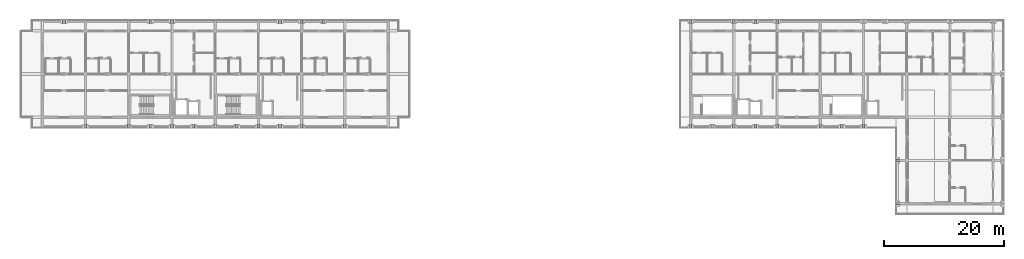
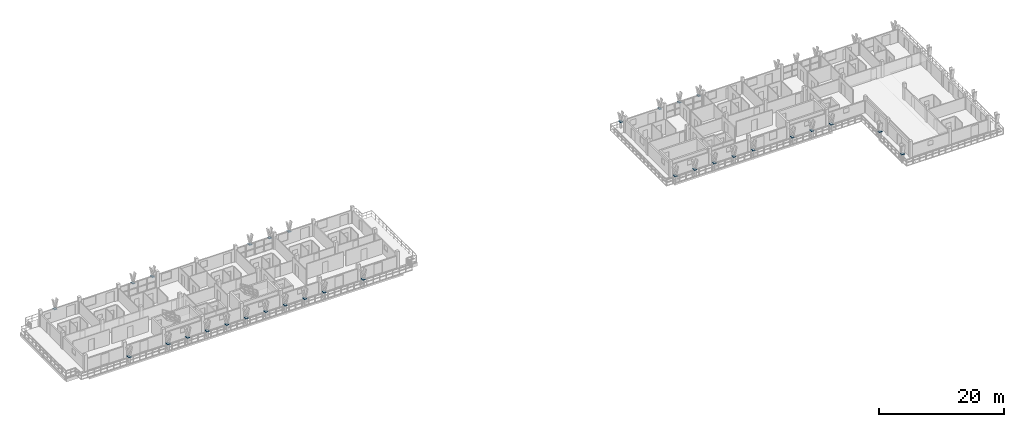
# One storey, part 17 of 32: 31 plates.
"""IFC4 building model written with IfcOpenShell, lengths in metres."""

from ifc_helpers import new_model, si_unit, direction, frame, origin, origin_2d, place, context, subcontext, project, spatial, rectangle, extrude, material, layer, layer_set, type_object, element, save


model = new_model("IFC4")

# Units and contexts
model_context = context("Model", 3, precision=1e-05, world=origin(), true_north=direction((0.0, 1.0)))
body_context = subcontext(model_context, "Body", "Model", "MODEL_VIEW")
ifc_project = project(units=[si_unit("LENGTHUNIT", "METRE"), si_unit("AREAUNIT", "SQUARE_METRE"), si_unit("VOLUMEUNIT", "CUBIC_METRE"), si_unit("PLANEANGLEUNIT", "RADIAN"), si_unit("MASSUNIT", "GRAM", prefix="KILO")], contexts=[model_context])

# Site, building, storey
site_placement = place(None, origin())
site = spatial("IfcSite", under=ifc_project, at=site_placement, CompositionType="ELEMENT")
building_placement = place(site_placement, origin())
building = spatial("IfcBuilding", under=site, at=building_placement, Name="Suanplinth Sawtooth Commons", CompositionType="ELEMENT")
storey_placement = place(building_placement, frame((0.0, 0.0, 41.199951171875)))
storey = spatial("IfcBuildingStorey", under=building, at=storey_placement, Name="L12", CompositionType="ELEMENT", Elevation=41.199951171875)

# Plates
ifc_material = material(Name="Pigmented precast concrete C40/50", Category="concrete")
ifc_layer = layer(ifc_material, 0.06005859375, Name="Precast Y-blade bifurcation node plate 60mm")
ifc_layer_set = layer_set([ifc_layer], Name="Pigmented precast concrete C40/50")
plate_type = type_object("IfcPlateType", Name="PL-04", PredefinedType="USERDEFINED", material=ifc_layer_set)
for number, where, z_axis, x_axis, name in (
    (1, (32.39990234375, 123.919921875, 1.1201171875), (0.0, 0.0, 1.0), (1.0, 0.0, 0.0), "Y-Blade Node Plate L12-A-N-01"),
    (2, (46.800048828125, 123.919921875, 1.1201171875), (0.0, 0.0, 1.0), (1.0, 0.0, 0.0), "Y-Blade Node Plate L12-A-N-02"),
    (3, (50.39990234375, 123.919921875, 1.1201171875), (0.0, 0.0, 1.0), (1.0, 0.0, 0.0), "Y-Blade Node Plate L12-A-N-03"),
    (4, (68.39990234375, 123.919921875, 1.1201171875), (0.0, 0.0, 1.0), (1.0, 0.0, 0.0), "Y-Blade Node Plate L12-A-N-04"),
    (5, (72.0, 123.919921875, 1.1201171875), (0.0, 0.0, 1.0), (1.0, 0.0, 0.0), "Y-Blade Node Plate L12-A-N-05"),
    (6, (75.60009765625, 123.919921875, 1.1201171875), (0.0, 0.0, 1.0), (1.0, 0.0, 0.0), "Y-Blade Node Plate L12-A-N-06"),
    (7, (36.0, 106.47998046875, 1.1201171875), (0.0, 0.0, 1.0), (1.0, 0.0, 0.0), "Y-Blade Node Plate L12-A-S-07"),
    (8, (43.199951171875, 106.47998046875, 1.1201171875), (0.0, 0.0, 1.0), (1.0, 0.0, 0.0), "Y-Blade Node Plate L12-A-S-08"),
    (9, (46.800048828125, 106.47998046875, 1.1201171875), (0.0, 0.0, 1.0), (1.0, 0.0, 0.0), "Y-Blade Node Plate L12-A-S-09"),
    (10, (50.39990234375, 106.47998046875, 1.1201171875), (0.0, 0.0, 1.0), (1.0, 0.0, 0.0), "Y-Blade Node Plate L12-A-S-10"),
    (11, (54.0, 106.47998046875, 1.1201171875), (0.0, 0.0, 1.0), (1.0, 0.0, 0.0), "Y-Blade Node Plate L12-A-S-11"),
    (12, (57.60009765625, 106.47998046875, 1.1201171875), (0.0, 0.0, 1.0), (1.0, 0.0, 0.0), "Y-Blade Node Plate L12-A-S-12"),
    (13, (61.199951171875, 106.47998046875, 1.1201171875), (0.0, 0.0, 1.0), (1.0, 0.0, 0.0), "Y-Blade Node Plate L12-A-S-13"),
    (14, (64.800048828125, 106.47998046875, 1.1201171875), (0.0, 0.0, 1.0), (1.0, 0.0, 0.0), "Y-Blade Node Plate L12-A-S-14"),
    (15, (68.39990234375, 106.47998046875, 1.1201171875), (0.0, 0.0, 1.0), (1.0, 0.0, 0.0), "Y-Blade Node Plate L12-A-S-15"),
    (16, (72.0, 106.47998046875, 1.1201171875), (0.0, 0.0, 1.0), (1.0, 0.0, 0.0), "Y-Blade Node Plate L12-A-S-16"),
    (17, (79.199951171875, 106.47998046875, 1.1201171875), (0.0, 0.0, 1.0), (1.0, 0.0, 0.0), "Y-Blade Node Plate L12-A-S-17"),
    (18, (136.800048828125, 123.919921875, 1.1201171875), (0.0, 0.0, 1.0), (1.0, 0.0, 0.0), "Y-Blade Node Plate L12-B-N-01"),
    (19, (144.0, 123.919921875, 1.1201171875), (0.0, 0.0, 1.0), (1.0, 0.0, 0.0), "Y-Blade Node Plate L12-B-N-02"),
    (20, (147.60009765625, 123.919921875, 1.1201171875), (0.0, 0.0, 1.0), (1.0, 0.0, 0.0), "Y-Blade Node Plate L12-B-N-03"),
    (21, (151.199951171875, 123.919921875, 1.1201171875), (0.0, 0.0, 1.0), (1.0, 0.0, 0.0), "Y-Blade Node Plate L12-B-N-04"),
    (22, (136.800048828125, 106.47998046875, 1.1201171875), (0.0, 0.0, 1.0), (1.0, 0.0, 0.0), "Y-Blade Node Plate L12-B-SC-14"),
    (23, (140.39990234375, 106.47998046875, 1.1201171875), (0.0, 0.0, 1.0), (1.0, 0.0, 0.0), "Y-Blade Node Plate L12-B-SC-15"),
    (24, (144.0, 106.47998046875, 1.1201171875), (0.0, 0.0, 1.0), (1.0, 0.0, 0.0), "Y-Blade Node Plate L12-B-SC-16"),
    (25, (147.60009765625, 106.47998046875, 1.1201171875), (0.0, 0.0, 1.0), (1.0, 0.0, 0.0), "Y-Blade Node Plate L12-B-SC-17"),
    (26, (151.199951171875, 106.47998046875, 1.1201171875), (0.0, 0.0, 1.0), (1.0, 0.0, 0.0), "Y-Blade Node Plate L12-B-SC-18"),
    (27, (158.39990234375, 106.47998046875, 1.1201171875), (0.0, 0.0, 1.0), (1.0, 0.0, 0.0), "Y-Blade Node Plate L12-B-SC-19"),
    (28, (162.0, 106.47998046875, 1.1201171875), (0.0, 0.0, 1.0), (1.0, 0.0, 0.0), "Y-Blade Node Plate L12-B-SC-20"),
    (29, (165.60009765625, 106.47998046875, 1.1201171875), (0.0, 0.0, 1.0), (1.0, 0.0, 0.0), "Y-Blade Node Plate L12-B-SC-21"),
    (30, (171.280029296875, 93.60009765625, 1.1201171875), (0.0, 0.0, 1.0), (0.0, 1.0, 0.0), "Y-Blade Node Plate L12-B-WC-22"),
    (31, (171.280029296875, 100.800048828125, 1.1201171875), (0.0, 0.0, 1.0), (0.0, 1.0, 0.0), "Y-Blade Node Plate L12-B-WC-23"),
):
    element("IfcPlate", number, at=place(storey_placement, frame(where, z_axis=z_axis, x_axis=x_axis)), inside=storey, type_object=plate_type, Name=name, ObjectType="GUSSET PLATE", PredefinedType="USERDEFINED", context=body_context, shape_type="SweptSolid", body=[
        extrude(rectangle(XDim=0.43994140625, YDim=0.550048828125, at=origin_2d()), origin(), (0.0, 0.0, 1.0), 0.06005859375),
    ])

save(model, "model.ifc")
